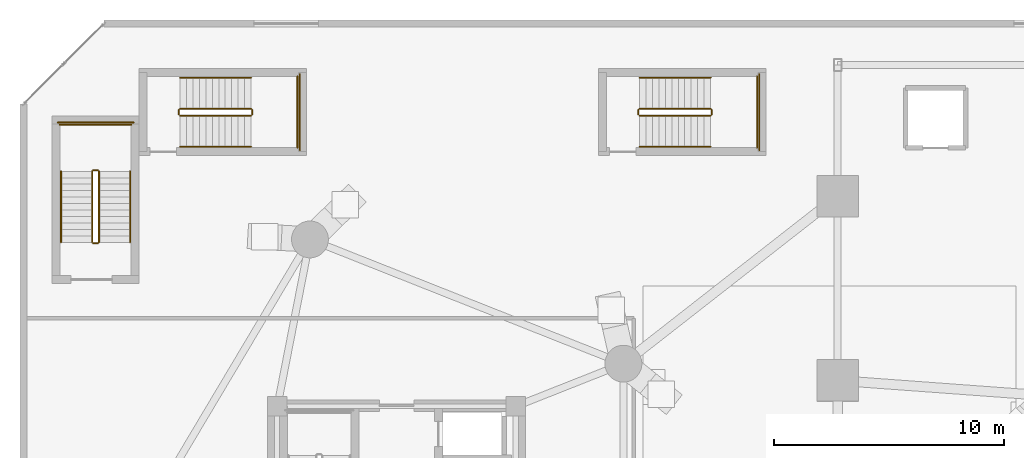
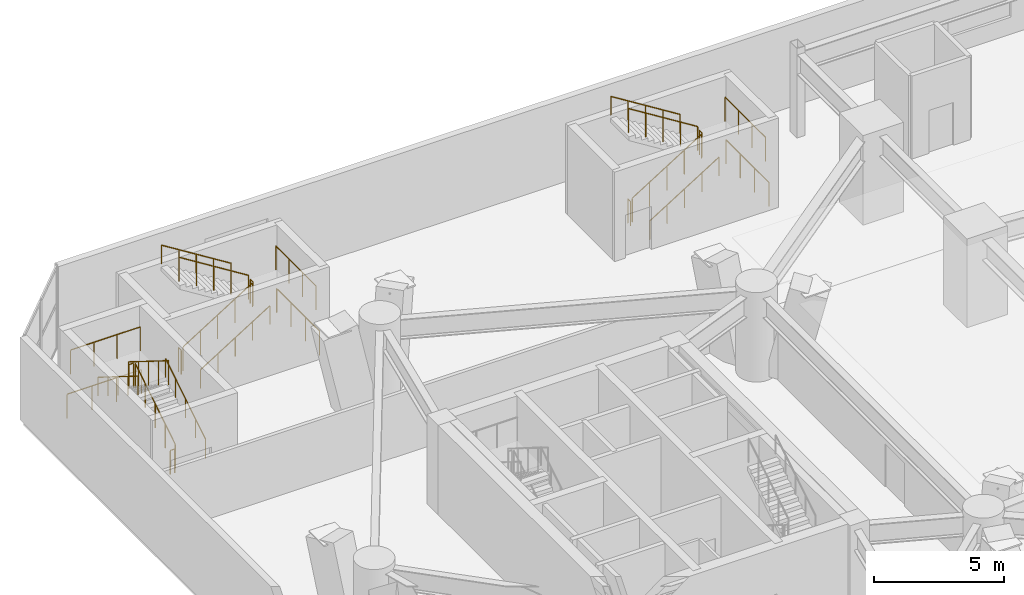
# One storey, part 19 of 20: 24 railings.
"""IFC4 building model written with IfcOpenShell, lengths in metres."""

from ifc_helpers import new_model, si_unit, direction, frame, origin, origin_2d, place, context, subcontext, project, spatial, circle, extrude, material, type_object, element, save


model = new_model("IFC4")

# Units and contexts
model_context = context("Model", 3, precision=1e-05, world=origin(), true_north=direction((0.0, 1.0)))
body_context = subcontext(model_context, "Body", "Model", "MODEL_VIEW")
ifc_project = project(units=[si_unit("LENGTHUNIT", "METRE"), si_unit("AREAUNIT", "SQUARE_METRE"), si_unit("VOLUMEUNIT", "CUBIC_METRE"), si_unit("PLANEANGLEUNIT", "RADIAN"), si_unit("MASSUNIT", "GRAM", prefix="KILO")], contexts=[model_context])

# Site, building, storey
site_placement = place(None, origin())
site = spatial("IfcSite", under=ifc_project, at=site_placement, CompositionType="ELEMENT")
building_placement = place(site_placement, origin())
building = spatial("IfcBuilding", under=site, at=building_placement, Name="Cununo Teusaquillo Station Towers", CompositionType="ELEMENT")
storey_placement = place(building_placement, frame((0.0, 0.0, 4.800048828125)))
storey = spatial("IfcBuildingStorey", under=building, at=storey_placement, Name="L01", CompositionType="ELEMENT", Elevation=4.800048828125)

# Railings
ifc_material_1 = material(Name="Steel EN 10025-2 S355J2", Category="steel")
railing_type_1 = type_object("IfcRailingType", Name="RL-INT-GUARD", PredefinedType="GUARDRAIL", material=ifc_material_1)
railing_1_placement = place(storey_placement, frame((27.050048828125, 44.0, 0.175048828125)))
element("IfcRailing", 1, at=railing_1_placement, inside=storey, type_object=railing_type_1, Name="L01 ST-POD-N stair guard 1", PredefinedType="GUARDRAIL", context=body_context, shape_type="SweptSolid", body=[
    extrude(circle(Radius=0.02392578125, at=origin_2d()), frame((0.0, 0.0, 1.1259765625), z_axis=(0.848009633417, 0.0, 0.529980812513), x_axis=(0.0, 1.0, 0.0)), (0.0, 0.0, 1.0), 3.6318359375),
    extrude(circle(Radius=0.02099609375, at=origin_2d()), origin(), (0.0, 0.0, 1.0), 1.101806640625),
    extrude(circle(Radius=0.02099609375, at=origin_2d()), frame((0.77001953125, 0.0, 0.481201171875)), (0.0, 0.0, 1.0), 1.101806640625),
    extrude(circle(Radius=0.02099609375, at=origin_2d()), frame((1.5400390625, 0.0, 0.96240234375)), (0.0, 0.0, 1.0), 1.101806640625),
    extrude(circle(Radius=0.02099609375, at=origin_2d()), frame((2.309814453125, 0.0, 1.443603515625)), (0.0, 0.0, 1.0), 1.101806640625),
    extrude(circle(Radius=0.02099609375, at=origin_2d()), frame((3.079833984375, 0.0, 1.9248046875)), (0.0, 0.0, 1.0), 1.101806640625),
])
railing_2_placement = place(storey_placement, frame((30.179931640625, 44.050048828125, 2.099853515625)))
element("IfcRailing", 2, at=railing_2_placement, inside=storey, type_object=railing_type_1, Name="L01 ST-POD-N stair guard 2", PredefinedType="GUARDRAIL", context=body_context, shape_type="SweptSolid", body=[
    extrude(circle(Radius=0.02392578125, at=origin_2d()), frame((0.0, 0.0, 1.1259765625), z_axis=(0.0, 1.0, 0.0), x_axis=(-1.0, 0.0, 0.0)), (0.0, 0.0, 1.0), 0.199951171875),
    extrude(circle(Radius=0.02099609375, at=origin_2d()), origin(), (0.0, 0.0, 1.0), 1.101806640625),
    extrude(circle(Radius=0.02099609375, at=origin_2d()), frame((0.0, 0.199951171875, 0.0)), (0.0, 0.0, 1.0), 1.101806640625),
])
railing_3_placement = place(storey_placement, frame((32.14990234375, 42.60009765625, 2.099853515625)))
element("IfcRailing", 3, at=railing_3_placement, inside=storey, type_object=railing_type_1, Name="L01 ST-POD-N stair guard 3", PredefinedType="GUARDRAIL", context=body_context, shape_type="SweptSolid", body=[
    extrude(circle(Radius=0.02392578125, at=origin_2d()), frame((0.0, 0.0, 1.1259765625), z_axis=(0.0, 1.0, 0.0), x_axis=(-1.0, 0.0, 0.0)), (0.0, 0.0, 1.0), 3.099853515625),
    extrude(circle(Radius=0.02099609375, at=origin_2d()), origin(), (0.0, 0.0, 1.0), 1.101806640625),
    extrude(circle(Radius=0.02099609375, at=origin_2d()), frame((0.0, 1.033203125, 0.0)), (0.0, 0.0, 1.0), 1.101806640625),
    extrude(circle(Radius=0.02099609375, at=origin_2d()), frame((0.0, 2.066650390625, 0.0)), (0.0, 0.0, 1.0), 1.101806640625),
    extrude(circle(Radius=0.02099609375, at=origin_2d()), frame((0.0, 3.099853515625, 0.0)), (0.0, 0.0, 1.0), 1.101806640625),
])
railing_4_placement = place(storey_placement, frame((30.1298828125, 44.300048828125, 2.27490234375)))
element("IfcRailing", 4, at=railing_4_placement, inside=storey, type_object=railing_type_1, Name="L01 ST-POD-N stair guard 4", PredefinedType="GUARDRAIL", context=body_context, shape_type="SweptSolid", body=[
    extrude(circle(Radius=0.02392578125, at=origin_2d()), frame((0.0, 0.0, 1.1259765625), z_axis=(-0.847979421464, 0.0, 0.530029150871), x_axis=(0.0, -1.0, 0.0)), (0.0, 0.0, 1.0), 3.632080078125),
    extrude(circle(Radius=0.02099609375, at=origin_2d()), origin(), (0.0, 0.0, 1.0), 1.101806640625),
    extrude(circle(Radius=0.02099609375, at=origin_2d()), frame((-0.77001953125, 0.0, 0.481201171875)), (0.0, 0.0, 1.0), 1.101806640625),
    extrude(circle(Radius=0.02099609375, at=origin_2d()), frame((-1.5400390625, 0.0, 0.96240234375)), (0.0, 0.0, 1.0), 1.101806640625),
    extrude(circle(Radius=0.02099609375, at=origin_2d()), frame((-2.309814453125, 0.0, 1.44384765625)), (0.0, 0.0, 1.0), 1.101806640625),
    extrude(circle(Radius=0.02099609375, at=origin_2d()), frame((-3.079833984375, 0.0, 1.925048828125)), (0.0, 0.0, 1.0), 1.101806640625),
])
railing_5_placement = place(storey_placement, frame((27.0, 44.050048828125, 0.0)))
element("IfcRailing", 5, at=railing_5_placement, inside=storey, type_object=railing_type_1, Name="L01 ST-POD-N stair guard 5", PredefinedType="GUARDRAIL", context=body_context, shape_type="SweptSolid", body=[
    extrude(circle(Radius=0.02392578125, at=origin_2d()), frame((0.0, 0.0, 1.1259765625), z_axis=(0.0, 1.0, 0.0), x_axis=(-1.0, 0.0, 0.0)), (0.0, 0.0, 1.0), 0.199951171875),
    extrude(circle(Radius=0.02099609375, at=origin_2d()), origin(), (0.0, 0.0, 1.0), 1.101806640625),
    extrude(circle(Radius=0.02099609375, at=origin_2d()), frame((0.0, 0.199951171875, 0.0)), (0.0, 0.0, 1.0), 1.101806640625),
])
railing_6_placement = place(storey_placement, frame((32.25, 42.5, 0.0)))
element("IfcRailing", 6, at=railing_6_placement, inside=storey, type_object=railing_type_1, Name="L01 ST-POD-N stair guard 6", PredefinedType="GUARDRAIL", context=body_context, shape_type="SweptSolid", body=[
    extrude(circle(Radius=0.02392578125, at=origin_2d()), frame((0.0, 0.0, 1.1259765625), z_axis=(0.0, 1.0, 0.0), x_axis=(-1.0, 0.0, 0.0)), (0.0, 0.0, 1.0), 3.300048828125),
    extrude(circle(Radius=0.02099609375, at=origin_2d()), origin(), (0.0, 0.0, 1.0), 1.101806640625),
    extrude(circle(Radius=0.02099609375, at=origin_2d()), frame((0.0, 1.10009765625, 0.0)), (0.0, 0.0, 1.0), 1.101806640625),
    extrude(circle(Radius=0.02099609375, at=origin_2d()), frame((0.0, 2.199951171875, 0.0)), (0.0, 0.0, 1.0), 1.101806640625),
    extrude(circle(Radius=0.02099609375, at=origin_2d()), frame((0.0, 3.300048828125, 0.0)), (0.0, 0.0, 1.0), 1.101806640625),
])
railing_7_placement = place(storey_placement, frame((3.580078125, 38.5, 0.175048828125)))
element("IfcRailing", 7, at=railing_7_placement, inside=storey, type_object=railing_type_1, Name="L01 ST-POD-W stair guard 1", PredefinedType="GUARDRAIL", context=body_context, shape_type="SweptSolid", body=[
    extrude(circle(Radius=0.02392578125, at=origin_2d()), frame((0.0, 0.0, 1.1259765625), z_axis=(0.0, 0.848028513186, 0.529950602248), x_axis=(-1.0, 0.0, 0.0)), (0.0, 0.0, 1.0), 3.632080078125),
    extrude(circle(Radius=0.02099609375, at=origin_2d()), origin(), (0.0, 0.0, 1.0), 1.101806640625),
    extrude(circle(Radius=0.02099609375, at=origin_2d()), frame((0.0, 0.77001953125, 0.481201171875)), (0.0, 0.0, 1.0), 1.101806640625),
    extrude(circle(Radius=0.02099609375, at=origin_2d()), frame((0.0, 1.5400390625, 0.96240234375)), (0.0, 0.0, 1.0), 1.101806640625),
    extrude(circle(Radius=0.02099609375, at=origin_2d()), frame((0.0, 2.31005859375, 1.443603515625)), (0.0, 0.0, 1.0), 1.101806640625),
    extrude(circle(Radius=0.02099609375, at=origin_2d()), frame((0.0, 3.080078125, 1.9248046875)), (0.0, 0.0, 1.0), 1.101806640625),
])
railing_8_placement = place(storey_placement, frame((3.530029296875, 41.6298828125, 2.099853515625)))
element("IfcRailing", 8, at=railing_8_placement, inside=storey, type_object=railing_type_1, Name="L01 ST-POD-W stair guard 2", PredefinedType="GUARDRAIL", context=body_context, shape_type="SweptSolid", body=[
    extrude(circle(Radius=0.02392578125, at=origin_2d()), frame((0.0, 0.0, 1.1259765625), z_axis=(-1.0, 0.0, 0.0), x_axis=(0.0, -1.0, 0.0)), (0.0, 0.0, 1.0), 0.199951171875),
    extrude(circle(Radius=0.02099609375, at=origin_2d()), origin(), (0.0, 0.0, 1.0), 1.101806640625),
    extrude(circle(Radius=0.02099609375, at=origin_2d()), frame((-0.199951171875, 0.0, 0.0)), (0.0, 0.0, 1.0), 1.101806640625),
])
railing_9_placement = place(storey_placement, frame((4.97998046875, 43.60009765625, 2.099853515625)))
element("IfcRailing", 9, at=railing_9_placement, inside=storey, type_object=railing_type_1, Name="L01 ST-POD-W stair guard 3", PredefinedType="GUARDRAIL", context=body_context, shape_type="SweptSolid", body=[
    extrude(circle(Radius=0.02392578125, at=origin_2d()), frame((0.0, 0.0, 1.1259765625), z_axis=(-1.0, 0.0, 0.0), x_axis=(0.0, -1.0, 0.0)), (0.0, 0.0, 1.0), 3.10009765625),
    extrude(circle(Radius=0.02099609375, at=origin_2d()), origin(), (0.0, 0.0, 1.0), 1.101806640625),
    extrude(circle(Radius=0.02099609375, at=origin_2d()), frame((-1.033447265625, 0.0, 0.0)), (0.0, 0.0, 1.0), 1.101806640625),
    extrude(circle(Radius=0.02099609375, at=origin_2d()), frame((-2.066650390625, 0.0, 0.0)), (0.0, 0.0, 1.0), 1.101806640625),
    extrude(circle(Radius=0.02099609375, at=origin_2d()), frame((-3.10009765625, 0.0, 0.0)), (0.0, 0.0, 1.0), 1.101806640625),
])
railing_10_placement = place(storey_placement, frame((3.280029296875, 41.580078125, 2.27490234375)))
element("IfcRailing", 10, at=railing_10_placement, inside=storey, type_object=railing_type_1, Name="L01 ST-POD-W stair guard 4", PredefinedType="GUARDRAIL", context=body_context, shape_type="SweptSolid", body=[
    extrude(circle(Radius=0.02392578125, at=origin_2d()), frame((0.0, 0.0, 1.1259765625), z_axis=(0.0, -0.847998304005, 0.529998940003), x_axis=(1.0, 0.0, 0.0)), (0.0, 0.0, 1.0), 3.632080078125),
    extrude(circle(Radius=0.02099609375, at=origin_2d()), origin(), (0.0, 0.0, 1.0), 1.101806640625),
    extrude(circle(Radius=0.02099609375, at=origin_2d()), frame((0.0, -0.77001953125, 0.481201171875)), (0.0, 0.0, 1.0), 1.101806640625),
    extrude(circle(Radius=0.02099609375, at=origin_2d()), frame((0.0, -1.5400390625, 0.96240234375)), (0.0, 0.0, 1.0), 1.101806640625),
    extrude(circle(Radius=0.02099609375, at=origin_2d()), frame((0.0, -2.31005859375, 1.44384765625)), (0.0, 0.0, 1.0), 1.101806640625),
    extrude(circle(Radius=0.02099609375, at=origin_2d()), frame((0.0, -3.080078125, 1.925048828125)), (0.0, 0.0, 1.0), 1.101806640625),
])
railing_11_placement = place(storey_placement, frame((3.530029296875, 38.449951171875, 0.0)))
element("IfcRailing", 11, at=railing_11_placement, inside=storey, type_object=railing_type_1, Name="L01 ST-POD-W stair guard 5", PredefinedType="GUARDRAIL", context=body_context, shape_type="SweptSolid", body=[
    extrude(circle(Radius=0.02392578125, at=origin_2d()), frame((0.0, 0.0, 1.1259765625), z_axis=(-1.0, 0.0, 0.0), x_axis=(0.0, -1.0, 0.0)), (0.0, 0.0, 1.0), 0.199951171875),
    extrude(circle(Radius=0.02099609375, at=origin_2d()), origin(), (0.0, 0.0, 1.0), 1.101806640625),
    extrude(circle(Radius=0.02099609375, at=origin_2d()), frame((-0.199951171875, 0.0, 0.0)), (0.0, 0.0, 1.0), 1.101806640625),
])
railing_12_placement = place(storey_placement, frame((5.080078125, 43.699951171875, 0.0)))
element("IfcRailing", 12, at=railing_12_placement, inside=storey, type_object=railing_type_1, Name="L01 ST-POD-W stair guard 6", PredefinedType="GUARDRAIL", context=body_context, shape_type="SweptSolid", body=[
    extrude(circle(Radius=0.02392578125, at=origin_2d()), frame((0.0, 0.0, 1.1259765625), z_axis=(-1.0, 0.0, 0.0), x_axis=(0.0, -1.0, 0.0)), (0.0, 0.0, 1.0), 3.300048828125),
    extrude(circle(Radius=0.02099609375, at=origin_2d()), origin(), (0.0, 0.0, 1.0), 1.101806640625),
    extrude(circle(Radius=0.02099609375, at=origin_2d()), frame((-1.10009765625, 0.0, 0.0)), (0.0, 0.0, 1.0), 1.101806640625),
    extrude(circle(Radius=0.02099609375, at=origin_2d()), frame((-2.199951171875, 0.0, 0.0)), (0.0, 0.0, 1.0), 1.101806640625),
    extrude(circle(Radius=0.02099609375, at=origin_2d()), frame((-3.300048828125, 0.0, 0.0)), (0.0, 0.0, 1.0), 1.101806640625),
])
railing_13_placement = place(storey_placement, frame((7.10009765625, 44.0, 0.175048828125)))
element("IfcRailing", 13, at=railing_13_placement, inside=storey, type_object=railing_type_1, Name="L01 ST-POD-C stair guard 1", PredefinedType="GUARDRAIL", context=body_context, shape_type="SweptSolid", body=[
    extrude(circle(Radius=0.02392578125, at=origin_2d()), frame((0.0, 0.0, 1.1259765625), z_axis=(0.848009633417, 0.0, 0.529980812513), x_axis=(0.0, 1.0, 0.0)), (0.0, 0.0, 1.0), 3.6318359375),
    extrude(circle(Radius=0.02099609375, at=origin_2d()), origin(), (0.0, 0.0, 1.0), 1.101806640625),
    extrude(circle(Radius=0.02099609375, at=origin_2d()), frame((0.77001953125, 0.0, 0.481201171875)), (0.0, 0.0, 1.0), 1.101806640625),
    extrude(circle(Radius=0.02099609375, at=origin_2d()), frame((1.5400390625, 0.0, 0.96240234375)), (0.0, 0.0, 1.0), 1.101806640625),
    extrude(circle(Radius=0.02099609375, at=origin_2d()), frame((2.309814453125, 0.0, 1.443603515625)), (0.0, 0.0, 1.0), 1.101806640625),
    extrude(circle(Radius=0.02099609375, at=origin_2d()), frame((3.079833984375, 0.0, 1.9248046875)), (0.0, 0.0, 1.0), 1.101806640625),
])
railing_14_placement = place(storey_placement, frame((10.22998046875, 44.050048828125, 2.099853515625)))
element("IfcRailing", 14, at=railing_14_placement, inside=storey, type_object=railing_type_1, Name="L01 ST-POD-C stair guard 2", PredefinedType="GUARDRAIL", context=body_context, shape_type="SweptSolid", body=[
    extrude(circle(Radius=0.02392578125, at=origin_2d()), frame((0.0, 0.0, 1.1259765625), z_axis=(0.0, 1.0, 0.0), x_axis=(-1.0, 0.0, 0.0)), (0.0, 0.0, 1.0), 0.199951171875),
    extrude(circle(Radius=0.02099609375, at=origin_2d()), origin(), (0.0, 0.0, 1.0), 1.101806640625),
    extrude(circle(Radius=0.02099609375, at=origin_2d()), frame((0.0, 0.199951171875, 0.0)), (0.0, 0.0, 1.0), 1.101806640625),
])
railing_15_placement = place(storey_placement, frame((12.199951171875, 42.60009765625, 2.099853515625)))
element("IfcRailing", 15, at=railing_15_placement, inside=storey, type_object=railing_type_1, Name="L01 ST-POD-C stair guard 3", PredefinedType="GUARDRAIL", context=body_context, shape_type="SweptSolid", body=[
    extrude(circle(Radius=0.02392578125, at=origin_2d()), frame((0.0, 0.0, 1.1259765625), z_axis=(0.0, 1.0, 0.0), x_axis=(-1.0, 0.0, 0.0)), (0.0, 0.0, 1.0), 3.099853515625),
    extrude(circle(Radius=0.02099609375, at=origin_2d()), origin(), (0.0, 0.0, 1.0), 1.101806640625),
    extrude(circle(Radius=0.02099609375, at=origin_2d()), frame((0.0, 1.033203125, 0.0)), (0.0, 0.0, 1.0), 1.101806640625),
    extrude(circle(Radius=0.02099609375, at=origin_2d()), frame((0.0, 2.066650390625, 0.0)), (0.0, 0.0, 1.0), 1.101806640625),
    extrude(circle(Radius=0.02099609375, at=origin_2d()), frame((0.0, 3.099853515625, 0.0)), (0.0, 0.0, 1.0), 1.101806640625),
])
railing_16_placement = place(storey_placement, frame((10.179931640625, 44.300048828125, 2.27490234375)))
element("IfcRailing", 16, at=railing_16_placement, inside=storey, type_object=railing_type_1, Name="L01 ST-POD-C stair guard 4", PredefinedType="GUARDRAIL", context=body_context, shape_type="SweptSolid", body=[
    extrude(circle(Radius=0.02392578125, at=origin_2d()), frame((0.0, 0.0, 1.1259765625), z_axis=(-0.847979421464, 0.0, 0.530029150871), x_axis=(0.0, -1.0, 0.0)), (0.0, 0.0, 1.0), 3.632080078125),
    extrude(circle(Radius=0.02099609375, at=origin_2d()), origin(), (0.0, 0.0, 1.0), 1.101806640625),
    extrude(circle(Radius=0.02099609375, at=origin_2d()), frame((-0.77001953125, 0.0, 0.481201171875)), (0.0, 0.0, 1.0), 1.101806640625),
    extrude(circle(Radius=0.02099609375, at=origin_2d()), frame((-1.5400390625, 0.0, 0.96240234375)), (0.0, 0.0, 1.0), 1.101806640625),
    extrude(circle(Radius=0.02099609375, at=origin_2d()), frame((-2.309814453125, 0.0, 1.44384765625)), (0.0, 0.0, 1.0), 1.101806640625),
    extrude(circle(Radius=0.02099609375, at=origin_2d()), frame((-3.079833984375, 0.0, 1.925048828125)), (0.0, 0.0, 1.0), 1.101806640625),
])
railing_17_placement = place(storey_placement, frame((7.050048828125, 44.050048828125, 0.0)))
element("IfcRailing", 17, at=railing_17_placement, inside=storey, type_object=railing_type_1, Name="L01 ST-POD-C stair guard 5", PredefinedType="GUARDRAIL", context=body_context, shape_type="SweptSolid", body=[
    extrude(circle(Radius=0.02392578125, at=origin_2d()), frame((0.0, 0.0, 1.1259765625), z_axis=(0.0, 1.0, 0.0), x_axis=(-1.0, 0.0, 0.0)), (0.0, 0.0, 1.0), 0.199951171875),
    extrude(circle(Radius=0.02099609375, at=origin_2d()), origin(), (0.0, 0.0, 1.0), 1.101806640625),
    extrude(circle(Radius=0.02099609375, at=origin_2d()), frame((0.0, 0.199951171875, 0.0)), (0.0, 0.0, 1.0), 1.101806640625),
])
railing_18_placement = place(storey_placement, frame((12.300048828125, 42.5, 0.0)))
element("IfcRailing", 18, at=railing_18_placement, inside=storey, type_object=railing_type_1, Name="L01 ST-POD-C stair guard 6", PredefinedType="GUARDRAIL", context=body_context, shape_type="SweptSolid", body=[
    extrude(circle(Radius=0.02392578125, at=origin_2d()), frame((0.0, 0.0, 1.1259765625), z_axis=(0.0, 1.0, 0.0), x_axis=(-1.0, 0.0, 0.0)), (0.0, 0.0, 1.0), 3.300048828125),
    extrude(circle(Radius=0.02099609375, at=origin_2d()), origin(), (0.0, 0.0, 1.0), 1.101806640625),
    extrude(circle(Radius=0.02099609375, at=origin_2d()), frame((0.0, 1.10009765625, 0.0)), (0.0, 0.0, 1.0), 1.101806640625),
    extrude(circle(Radius=0.02099609375, at=origin_2d()), frame((0.0, 2.199951171875, 0.0)), (0.0, 0.0, 1.0), 1.101806640625),
    extrude(circle(Radius=0.02099609375, at=origin_2d()), frame((0.0, 3.300048828125, 0.0)), (0.0, 0.0, 1.0), 1.101806640625),
])
ifc_material_2 = material(Name="Steel EN 10025-2 S355J2", Category="steel")
railing_type_2 = type_object("IfcRailingType", Name="RL-INT-HRAIL", PredefinedType="HANDRAIL", material=ifc_material_2)
railing_19_placement = place(storey_placement, frame((27.050048828125, 42.64990234375, 0.175048828125)))
element("IfcRailing", 19, at=railing_19_placement, inside=storey, type_object=railing_type_2, Name="L01 ST-POD-N stair handrail 1", PredefinedType="HANDRAIL", context=body_context, shape_type="SweptSolid", body=[
    extrude(circle(Radius=0.02392578125, at=origin_2d()), frame((0.0, 0.0, 0.8759765625), z_axis=(0.848009633417, 0.0, 0.529980812513), x_axis=(0.0, 1.0, 0.0)), (0.0, 0.0, 1.0), 3.6318359375),
    extrude(circle(Radius=0.02099609375, at=origin_2d()), origin(), (0.0, 0.0, 1.0), 0.851806640625),
    extrude(circle(Radius=0.02099609375, at=origin_2d()), frame((0.77001953125, 0.0, 0.481201171875)), (0.0, 0.0, 1.0), 0.851806640625),
    extrude(circle(Radius=0.02099609375, at=origin_2d()), frame((1.5400390625, 0.0, 0.96240234375)), (0.0, 0.0, 1.0), 0.851806640625),
    extrude(circle(Radius=0.02099609375, at=origin_2d()), frame((2.309814453125, 0.0, 1.443603515625)), (0.0, 0.0, 1.0), 0.851806640625),
    extrude(circle(Radius=0.02099609375, at=origin_2d()), frame((3.079833984375, 0.0, 1.9248046875)), (0.0, 0.0, 1.0), 0.851806640625),
])
railing_20_placement = place(storey_placement, frame((30.1298828125, 45.64990234375, 2.27490234375)))
element("IfcRailing", 20, at=railing_20_placement, inside=storey, type_object=railing_type_2, Name="L01 ST-POD-N stair handrail 2", PredefinedType="HANDRAIL", context=body_context, shape_type="SweptSolid", body=[
    extrude(circle(Radius=0.02392578125, at=origin_2d()), frame((0.0, 0.0, 0.8759765625), z_axis=(-0.847979421464, 0.0, 0.530029150871), x_axis=(0.0, -1.0, 0.0)), (0.0, 0.0, 1.0), 3.632080078125),
    extrude(circle(Radius=0.02099609375, at=origin_2d()), origin(), (0.0, 0.0, 1.0), 0.851806640625),
    extrude(circle(Radius=0.02099609375, at=origin_2d()), frame((-0.77001953125, 0.0, 0.481201171875)), (0.0, 0.0, 1.0), 0.851806640625),
    extrude(circle(Radius=0.02099609375, at=origin_2d()), frame((-1.5400390625, 0.0, 0.96240234375)), (0.0, 0.0, 1.0), 0.851806640625),
    extrude(circle(Radius=0.02099609375, at=origin_2d()), frame((-2.309814453125, 0.0, 1.44384765625)), (0.0, 0.0, 1.0), 0.851806640625),
    extrude(circle(Radius=0.02099609375, at=origin_2d()), frame((-3.079833984375, 0.0, 1.925048828125)), (0.0, 0.0, 1.0), 0.851806640625),
])
railing_21_placement = place(storey_placement, frame((4.929931640625, 38.5, 0.175048828125)))
element("IfcRailing", 21, at=railing_21_placement, inside=storey, type_object=railing_type_2, Name="L01 ST-POD-W stair handrail 1", PredefinedType="HANDRAIL", context=body_context, shape_type="SweptSolid", body=[
    extrude(circle(Radius=0.02392578125, at=origin_2d()), frame((0.0, 0.0, 0.8759765625), z_axis=(0.0, 0.848028513186, 0.529950602248), x_axis=(-1.0, 0.0, 0.0)), (0.0, 0.0, 1.0), 3.632080078125),
    extrude(circle(Radius=0.02099609375, at=origin_2d()), origin(), (0.0, 0.0, 1.0), 0.851806640625),
    extrude(circle(Radius=0.02099609375, at=origin_2d()), frame((0.0, 0.77001953125, 0.481201171875)), (0.0, 0.0, 1.0), 0.851806640625),
    extrude(circle(Radius=0.02099609375, at=origin_2d()), frame((0.0, 1.5400390625, 0.96240234375)), (0.0, 0.0, 1.0), 0.851806640625),
    extrude(circle(Radius=0.02099609375, at=origin_2d()), frame((0.0, 2.31005859375, 1.443603515625)), (0.0, 0.0, 1.0), 0.851806640625),
    extrude(circle(Radius=0.02099609375, at=origin_2d()), frame((0.0, 3.080078125, 1.9248046875)), (0.0, 0.0, 1.0), 0.851806640625),
])
railing_22_placement = place(storey_placement, frame((1.929931640625, 41.580078125, 2.27490234375)))
element("IfcRailing", 22, at=railing_22_placement, inside=storey, type_object=railing_type_2, Name="L01 ST-POD-W stair handrail 2", PredefinedType="HANDRAIL", context=body_context, shape_type="SweptSolid", body=[
    extrude(circle(Radius=0.02392578125, at=origin_2d()), frame((0.0, 0.0, 0.8759765625), z_axis=(0.0, -0.847998304005, 0.529998940003), x_axis=(1.0, 0.0, 0.0)), (0.0, 0.0, 1.0), 3.632080078125),
    extrude(circle(Radius=0.02099609375, at=origin_2d()), origin(), (0.0, 0.0, 1.0), 0.851806640625),
    extrude(circle(Radius=0.02099609375, at=origin_2d()), frame((0.0, -0.77001953125, 0.481201171875)), (0.0, 0.0, 1.0), 0.851806640625),
    extrude(circle(Radius=0.02099609375, at=origin_2d()), frame((0.0, -1.5400390625, 0.96240234375)), (0.0, 0.0, 1.0), 0.851806640625),
    extrude(circle(Radius=0.02099609375, at=origin_2d()), frame((0.0, -2.31005859375, 1.44384765625)), (0.0, 0.0, 1.0), 0.851806640625),
    extrude(circle(Radius=0.02099609375, at=origin_2d()), frame((0.0, -3.080078125, 1.925048828125)), (0.0, 0.0, 1.0), 0.851806640625),
])
railing_23_placement = place(storey_placement, frame((7.10009765625, 42.64990234375, 0.175048828125)))
element("IfcRailing", 23, at=railing_23_placement, inside=storey, type_object=railing_type_2, Name="L01 ST-POD-C stair handrail 1", PredefinedType="HANDRAIL", context=body_context, shape_type="SweptSolid", body=[
    extrude(circle(Radius=0.02392578125, at=origin_2d()), frame((0.0, 0.0, 0.8759765625), z_axis=(0.848009633417, 0.0, 0.529980812513), x_axis=(0.0, 1.0, 0.0)), (0.0, 0.0, 1.0), 3.6318359375),
    extrude(circle(Radius=0.02099609375, at=origin_2d()), origin(), (0.0, 0.0, 1.0), 0.851806640625),
    extrude(circle(Radius=0.02099609375, at=origin_2d()), frame((0.77001953125, 0.0, 0.481201171875)), (0.0, 0.0, 1.0), 0.851806640625),
    extrude(circle(Radius=0.02099609375, at=origin_2d()), frame((1.5400390625, 0.0, 0.96240234375)), (0.0, 0.0, 1.0), 0.851806640625),
    extrude(circle(Radius=0.02099609375, at=origin_2d()), frame((2.309814453125, 0.0, 1.443603515625)), (0.0, 0.0, 1.0), 0.851806640625),
    extrude(circle(Radius=0.02099609375, at=origin_2d()), frame((3.079833984375, 0.0, 1.9248046875)), (0.0, 0.0, 1.0), 0.851806640625),
])
railing_24_placement = place(storey_placement, frame((10.179931640625, 45.64990234375, 2.27490234375)))
element("IfcRailing", 24, at=railing_24_placement, inside=storey, type_object=railing_type_2, Name="L01 ST-POD-C stair handrail 2", PredefinedType="HANDRAIL", context=body_context, shape_type="SweptSolid", body=[
    extrude(circle(Radius=0.02392578125, at=origin_2d()), frame((0.0, 0.0, 0.8759765625), z_axis=(-0.847979421464, 0.0, 0.530029150871), x_axis=(0.0, -1.0, 0.0)), (0.0, 0.0, 1.0), 3.632080078125),
    extrude(circle(Radius=0.02099609375, at=origin_2d()), origin(), (0.0, 0.0, 1.0), 0.851806640625),
    extrude(circle(Radius=0.02099609375, at=origin_2d()), frame((-0.77001953125, 0.0, 0.481201171875)), (0.0, 0.0, 1.0), 0.851806640625),
    extrude(circle(Radius=0.02099609375, at=origin_2d()), frame((-1.5400390625, 0.0, 0.96240234375)), (0.0, 0.0, 1.0), 0.851806640625),
    extrude(circle(Radius=0.02099609375, at=origin_2d()), frame((-2.309814453125, 0.0, 1.44384765625)), (0.0, 0.0, 1.0), 0.851806640625),
    extrude(circle(Radius=0.02099609375, at=origin_2d()), frame((-3.079833984375, 0.0, 1.925048828125)), (0.0, 0.0, 1.0), 0.851806640625),
])

save(model, "model.ifc")
